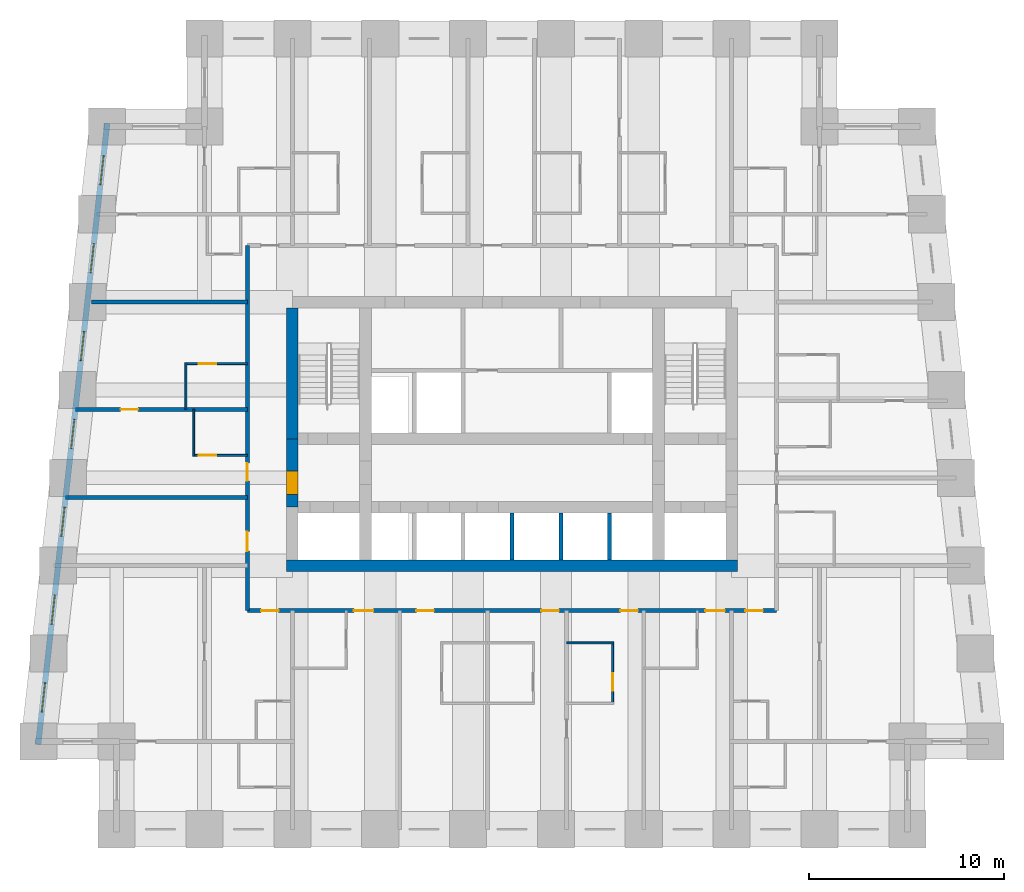
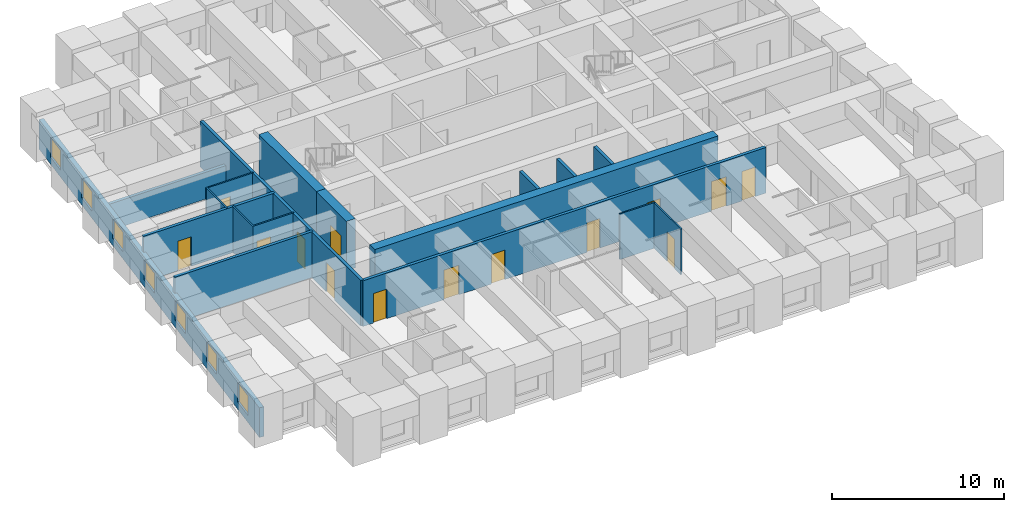
# One storey, part 3 of 8: 18 walls, 14 doors, 7 windows, 21 openings.
"""IFC4 building model written with IfcOpenShell, lengths in metres."""

from ifc_helpers import new_model, si_unit, direction, frame, frame_2d, origin, place, context, subcontext, project, spatial, rectangle, extrude, material, layer, layer_set, type_object, element, fill, save


model = new_model("IFC4")

# Units and contexts
model_context = context("Model", 3, precision=1e-05, world=origin(), true_north=direction((0.0, 1.0)))
body_context = subcontext(model_context, "Body", "Model", "MODEL_VIEW")
ifc_project = project(units=[si_unit("LENGTHUNIT", "METRE"), si_unit("AREAUNIT", "SQUARE_METRE"), si_unit("VOLUMEUNIT", "CUBIC_METRE"), si_unit("PLANEANGLEUNIT", "RADIAN"), si_unit("MASSUNIT", "GRAM", prefix="KILO")], contexts=[model_context])

# Site, building, storey
site_placement = place(None, origin())
site = spatial("IfcSite", under=ifc_project, at=site_placement, CompositionType="ELEMENT")
building_placement = place(site_placement, origin())
building = spatial("IfcBuilding", under=site, at=building_placement, Name="Kilele Tower Hotel", CompositionType="ELEMENT")
storey_placement = place(building_placement, frame((0.0, 0.0, 82.199951171875)))
storey = spatial("IfcBuildingStorey", under=building, at=storey_placement, Name="L20", CompositionType="ELEMENT", Elevation=82.199951171875)

# Wall
ifc_material_1 = material(Name="Moisture-resistant board")
ifc_layer_1 = layer(ifc_material_1, 0.10009765625)
ifc_layer_set_1 = layer_set([ifc_layer_1], Name="Moisture-resistant board")
wall_type_1 = type_object("IfcWallType", Name="Bathroom partition 100", PredefinedType="PLUMBINGWALL", material=ifc_layer_set_1)
wall_1_placement = place(storey_placement, frame((27.550048828125, 9.550048828125, 0.0), z_axis=(0.0, 0.0, 1.0), x_axis=(1.0, 0.0, 0.0)))
element("IfcWall", 1, at=wall_1_placement, inside=storey, type_object=wall_type_1, Name="Bathroom partition 100 L20", PredefinedType="PLUMBINGWALL", context=body_context, shape_type="SweptSolid", body=[
    extrude(rectangle(XDim=2.39990234375, YDim=0.10009765625, at=frame_2d((1.199951171875, 0.0))), origin(), (0.0, 0.0, 1.0), 3.25),
])

# Wall, opening, door
wall_2_placement = place(storey_placement, frame((29.89990234375, 9.60009765625, 0.0), z_axis=(0.0, 0.0, 1.0), x_axis=(0.0, -1.0, 0.0)))
wall_2 = element("IfcWall", 2, at=wall_2_placement, inside=storey, type_object=wall_type_1, Name="Bathroom partition 100 L20", PredefinedType="PLUMBINGWALL", context=body_context, shape_type="SweptSolid", body=[
    extrude(rectangle(XDim=3.2001953125, YDim=0.10009765625, at=frame_2d((1.60009765625, 0.0))), origin(), (0.0, 0.0, 1.0), 3.25),
])
opening_1_placement = place(wall_2_placement, frame((1.60009765625, 0.0, 0.0)))
opening_1 = element("IfcOpeningElement", 3, at=opening_1_placement, cuts=wall_2, Name="Opening D2A", PredefinedType="OPENING", context=body_context, shape_type="SweptSolid", body=[
    extrude(rectangle(XDim=0.89990234375, YDim=2.10009765625, at=frame_2d((0.449951171875, 1.050048828125))), frame((0.0, 0.06005859375, 0.0), z_axis=(0.0, -1.0, 0.0), x_axis=(1.0, 0.0, 0.0)), (0.0, 0.0, 1.0), 0.1201171875),
])
ifc_material_2 = material(Name="Timber door leaf in hardwood frame", Category="wood")
door_type_1 = type_object("IfcDoorType", Name="Bathroom door 900", OperationType="SINGLE_SWING_LEFT", PredefinedType="DOOR", material=ifc_material_2)
door_1_placement = place(opening_1_placement, origin())
door_1 = element("IfcDoor", 4, at=door_1_placement, inside=storey, type_object=door_type_1, Name="Bathroom door 2004B", OperationType="SINGLE_SWING_RIGHT", OverallHeight=2.10009765625, OverallWidth=0.89990234375, PredefinedType="DOOR", context=body_context, shape_type="SweptSolid", body=[
    extrude(rectangle(XDim=0.89990234375, YDim=2.10009765625, at=frame_2d((0.449951171875, 1.050048828125))), frame((0.0, 0.02490234375, 0.0), z_axis=(0.0, -1.0, 0.0), x_axis=(1.0, 0.0, 0.0)), (0.0, 0.0, 1.0), 0.050048828125),
])
fill(opening_1, door_1)

# Wall
wall_3_placement = place(storey_placement, frame((8.449951171875, 19.10009765625, 0.0), z_axis=(0.0, 0.0, 1.0), x_axis=(0.0, 1.0, 0.0)))
element("IfcWall", 5, at=wall_3_placement, inside=storey, type_object=wall_type_1, Name="Bathroom partition 100 L20", PredefinedType="PLUMBINGWALL", context=body_context, shape_type="SweptSolid", body=[
    extrude(rectangle(XDim=2.39990234375, YDim=0.10009765625, at=frame_2d((1.199951171875, 0.0))), origin(), (0.0, 0.0, 1.0), 3.25),
])

# Wall, opening, door
wall_4_placement = place(storey_placement, frame((11.199951171875, 19.14990234375, 0.0), z_axis=(0.0, 0.0, 1.0), x_axis=(-1.0, 0.0, 0.0)))
wall_4 = element("IfcWall", 6, at=wall_4_placement, inside=storey, type_object=wall_type_1, Name="Bathroom partition 100 L20", PredefinedType="PLUMBINGWALL", context=body_context, shape_type="SweptSolid", body=[
    extrude(rectangle(XDim=2.800048828125, YDim=0.10009765625, at=frame_2d((1.39990234375, 0.0))), origin(), (0.0, 0.0, 1.0), 3.25),
])
opening_2_placement = place(wall_4_placement, frame((1.60009765625, 0.0, 0.0)))
opening_2 = element("IfcOpeningElement", 7, at=opening_2_placement, cuts=wall_4, Name="Opening D2A", PredefinedType="OPENING", context=body_context, shape_type="SweptSolid", body=[
    extrude(rectangle(XDim=0.89990234375, YDim=2.10009765625, at=frame_2d((0.449951171875, 1.050048828125))), frame((0.0, 0.06005859375, 0.0), z_axis=(0.0, -1.0, 0.0), x_axis=(1.0, 0.0, 0.0)), (0.0, 0.0, 1.0), 0.1201171875),
])
door_2_placement = place(opening_2_placement, origin())
door_2 = element("IfcDoor", 8, at=door_2_placement, inside=storey, type_object=door_type_1, Name="Bathroom door 2015B", OperationType="SINGLE_SWING_RIGHT", OverallHeight=2.10009765625, OverallWidth=0.89990234375, PredefinedType="DOOR", context=body_context, shape_type="SweptSolid", body=[
    extrude(rectangle(XDim=0.89990234375, YDim=2.10009765625, at=frame_2d((0.449951171875, 1.050048828125))), frame((0.0, 0.02490234375, 0.0), z_axis=(0.0, -1.0, 0.0), x_axis=(1.0, 0.0, 0.0)), (0.0, 0.0, 1.0), 0.050048828125),
])
fill(opening_2, door_2)

# Wall
wall_5_placement = place(storey_placement, frame((8.050048828125, 21.5, 0.0), z_axis=(0.0, 0.0, 1.0), x_axis=(0.0, 1.0, 0.0)))
element("IfcWall", 9, at=wall_5_placement, inside=storey, type_object=wall_type_1, Name="Bathroom partition 100 L20", PredefinedType="PLUMBINGWALL", context=body_context, shape_type="SweptSolid", body=[
    extrude(rectangle(XDim=2.39990234375, YDim=0.10009765625, at=frame_2d((1.199951171875, 0.0))), origin(), (0.0, 0.0, 1.0), 3.25),
])

# Wall, opening, door
wall_6_placement = place(storey_placement, frame((11.199951171875, 23.85009765625, 0.0), z_axis=(0.0, 0.0, 1.0), x_axis=(-1.0, 0.0, 0.0)))
wall_6 = element("IfcWall", 10, at=wall_6_placement, inside=storey, type_object=wall_type_1, Name="Bathroom partition 100 L20", PredefinedType="PLUMBINGWALL", context=body_context, shape_type="SweptSolid", body=[
    extrude(rectangle(XDim=3.199951171875, YDim=0.10009765625, at=frame_2d((1.60009765625, 0.0))), origin(), (0.0, 0.0, 1.0), 3.25),
])
opening_3_placement = place(wall_6_placement, frame((2.5, 0.0, 0.0), z_axis=(0.0, 0.0, 1.0), x_axis=(-1.0, 0.0, 0.0)))
opening_3 = element("IfcOpeningElement", 11, at=opening_3_placement, cuts=wall_6, Name="Opening D2A", PredefinedType="OPENING", context=body_context, shape_type="SweptSolid", body=[
    extrude(rectangle(XDim=0.89990234375, YDim=2.10009765625, at=frame_2d((0.449951171875, 1.050048828125))), frame((0.0, 0.06005859375, 0.0), z_axis=(0.0, -1.0, 0.0), x_axis=(1.0, 0.0, 0.0)), (0.0, 0.0, 1.0), 0.1201171875),
])
door_3_placement = place(opening_3_placement, origin())
door_3 = element("IfcDoor", 12, at=door_3_placement, inside=storey, type_object=door_type_1, Name="Bathroom door 2016B", OperationType="SINGLE_SWING_LEFT", OverallHeight=2.10009765625, OverallWidth=0.89990234375, PredefinedType="DOOR", context=body_context, shape_type="SweptSolid", body=[
    extrude(rectangle(XDim=0.89990234375, YDim=2.10009765625, at=frame_2d((0.449951171875, 1.050048828125))), frame((0.0, 0.02490234375, 0.0), z_axis=(0.0, -1.0, 0.0), x_axis=(1.0, 0.0, 0.0)), (0.0, 0.0, 1.0), 0.050048828125),
])
fill(opening_3, door_3)

# Walls
ifc_material_3 = material(Name="Concrete C60/75", Category="concrete")
ifc_layer_2 = layer(ifc_material_3, 0.60009765625)
ifc_layer_set_2 = layer_set([ifc_layer_2], Name="Concrete C60/75")
wall_type_2 = type_object("IfcWallType", Name="Core wall 600 C60/75", PredefinedType="SHEAR", material=ifc_layer_set_2)
wall_7_placement = place(storey_placement, frame((13.199951171875, 13.5, 0.0), z_axis=(0.0, 0.0, 1.0), x_axis=(1.0, 0.0, 0.0)))
element("IfcWall", 13, at=wall_7_placement, inside=storey, type_object=wall_type_2, Name="Core wall S L20", PredefinedType="SHEAR", context=body_context, shape_type="SweptSolid", body=[
    extrude(rectangle(XDim=23.10009765625, YDim=0.60009765625, at=frame_2d((11.550048828125, 0.0))), origin(), (0.0, 0.0, 1.0), 3.5),
])
wall_8_placement = place(storey_placement, frame((13.5, 26.699951171875, 0.0), z_axis=(0.0, 0.0, 1.0), x_axis=(0.0, -1.0, 0.0)))
element("IfcWall", 14, at=wall_8_placement, inside=storey, type_object=wall_type_2, Name="Core wall W1 L20", PredefinedType="SHEAR", context=body_context, shape_type="SweptSolid", body=[
    extrude(rectangle(XDim=6.699951171875, YDim=0.60009765625, at=frame_2d((3.35009765625, 0.0))), origin(), (0.0, 0.0, 1.0), 3.5),
])

# Wall, opening, door
wall_9_placement = place(storey_placement, frame((13.5, 20.0, 0.0), z_axis=(0.0, 0.0, 1.0), x_axis=(0.0, -1.0, 0.0)))
wall_9 = element("IfcWall", 15, at=wall_9_placement, inside=storey, type_object=wall_type_2, Name="Core wall W2 L20", PredefinedType="SHEAR", context=body_context, shape_type="SweptSolid", body=[
    extrude(rectangle(XDim=3.5, YDim=0.60009765625, at=frame_2d((1.75, 0.0))), origin(), (0.0, 0.0, 1.0), 3.5),
])
opening_4_placement = place(wall_9_placement, frame((1.64990234375, 0.0, 0.0)))
opening_4 = element("IfcOpeningElement", 16, at=opening_4_placement, cuts=wall_9, Name="Opening D4", PredefinedType="OPENING", context=body_context, shape_type="SweptSolid", body=[
    extrude(rectangle(XDim=1.199951171875, YDim=2.10009765625, at=frame_2d((0.60009765625, 1.050048828125))), frame((0.0, 0.31005859375, 0.0), z_axis=(0.0, -1.0, 0.0), x_axis=(1.0, 0.0, 0.0)), (0.0, 0.0, 1.0), 0.6201171875),
])
ifc_material_4 = material(Name="Timber door leaf in hardwood frame", Category="wood")
door_type_2 = type_object("IfcDoorType", Name="Firefighting lobby door 1200", OperationType="SINGLE_SWING_LEFT", PredefinedType="DOOR", material=ifc_material_4)
door_4_placement = place(opening_4_placement, origin())
door_4 = element("IfcDoor", 17, at=door_4_placement, inside=storey, type_object=door_type_2, Name="Lobby door L20", OperationType="SINGLE_SWING_RIGHT", OverallHeight=2.10009765625, OverallWidth=1.199951171875, PredefinedType="DOOR", context=body_context, shape_type="SweptSolid", body=[
    extrude(rectangle(XDim=1.199951171875, YDim=2.10009765625, at=frame_2d((0.60009765625, 1.050048828125))), frame((0.0, 0.2998046875, 0.0), z_axis=(0.0, -1.0, 0.0), x_axis=(1.0, 0.0, 0.0)), (0.0, 0.0, 1.0), 0.599609375),
])
fill(opening_4, door_4)

# Wall, openings, doors
ifc_material_5 = material(Name="Blockwork, plastered both sides", Category="masonry")
ifc_layer_3 = layer(ifc_material_5, 0.199951171875)
ifc_layer_set_3 = layer_set([ifc_layer_3], Name="Blockwork, plastered both sides")
wall_type_3 = type_object("IfcWallType", Name="Corridor wall 200", PredefinedType="PARTITIONING", material=ifc_layer_set_3)
wall_10_placement = place(storey_placement, frame((11.199951171875, 11.199951171875, 0.0), z_axis=(0.0, 0.0, 1.0), x_axis=(1.0, 0.0, 0.0)))
wall_10 = element("IfcWall", 18, at=wall_10_placement, inside=storey, type_object=wall_type_3, Name="Corridor wall 200 L20", PredefinedType="PARTITIONING", context=body_context, shape_type="SweptSolid", body=[
    extrude(rectangle(XDim=27.10009765625, YDim=0.199951171875, at=frame_2d((13.550048828125, 0.0))), origin(), (0.0, 0.0, 1.0), 3.25),
])
opening_5_placement = place(wall_10_placement, frame((6.449951171875, 0.0, 0.0), z_axis=(0.0, 0.0, 1.0), x_axis=(-1.0, 0.0, 0.0)))
opening_5 = element("IfcOpeningElement", 19, at=opening_5_placement, cuts=wall_10, Name="Opening D1A", PredefinedType="OPENING", context=body_context, shape_type="SweptSolid", body=[
    extrude(rectangle(XDim=1.0, YDim=2.10009765625, at=frame_2d((0.5, 1.050048828125))), frame((0.0, 0.10986328125, 0.0), z_axis=(0.0, -1.0, 0.0), x_axis=(1.0, 0.0, 0.0)), (0.0, 0.0, 1.0), 0.219970703125),
])
opening_6_placement = place(wall_10_placement, frame((9.5498046875, 0.0, 0.0), z_axis=(0.0, 0.0, 1.0), x_axis=(-1.0, 0.0, 0.0)))
opening_6 = element("IfcOpeningElement", 20, at=opening_6_placement, cuts=wall_10, Name="Opening D1", PredefinedType="OPENING", context=body_context, shape_type="SweptSolid", body=[
    extrude(rectangle(XDim=0.89990234375, YDim=2.10009765625, at=frame_2d((0.449951171875, 1.050048828125))), frame((0.0, 0.10986328125, 0.0), z_axis=(0.0, -1.0, 0.0), x_axis=(1.0, 0.0, 0.0)), (0.0, 0.0, 1.0), 0.219970703125),
])
opening_7_placement = place(wall_10_placement, frame((15.949951171875, 0.0, 0.0), z_axis=(0.0, 0.0, 1.0), x_axis=(-1.0, 0.0, 0.0)))
opening_7 = element("IfcOpeningElement", 21, at=opening_7_placement, cuts=wall_10, Name="Opening D1", PredefinedType="OPENING", context=body_context, shape_type="SweptSolid", body=[
    extrude(rectangle(XDim=0.89990234375, YDim=2.10009765625, at=frame_2d((0.449951171875, 1.050048828125))), frame((0.0, 0.10986328125, 0.0), z_axis=(0.0, -1.0, 0.0), x_axis=(1.0, 0.0, 0.0)), (0.0, 0.0, 1.0), 0.219970703125),
])
opening_8_placement = place(wall_10_placement, frame((20.0, 0.0, 0.0), z_axis=(0.0, 0.0, 1.0), x_axis=(-1.0, 0.0, 0.0)))
opening_8 = element("IfcOpeningElement", 22, at=opening_8_placement, cuts=wall_10, Name="Opening D1", PredefinedType="OPENING", context=body_context, shape_type="SweptSolid", body=[
    extrude(rectangle(XDim=0.89990234375, YDim=2.10009765625, at=frame_2d((0.449951171875, 1.050048828125))), frame((0.0, 0.10986328125, 0.0), z_axis=(0.0, -1.0, 0.0), x_axis=(1.0, 0.0, 0.0)), (0.0, 0.0, 1.0), 0.219970703125),
])
opening_9_placement = place(wall_10_placement, frame((24.449951171875, 0.0, 0.0), z_axis=(0.0, 0.0, 1.0), x_axis=(-1.0, 0.0, 0.0)))
opening_9 = element("IfcOpeningElement", 23, at=opening_9_placement, cuts=wall_10, Name="Opening D1A", PredefinedType="OPENING", context=body_context, shape_type="SweptSolid", body=[
    extrude(rectangle(XDim=1.0, YDim=2.10009765625, at=frame_2d((0.5, 1.050048828125))), frame((0.0, 0.10986328125, 0.0), z_axis=(0.0, -1.0, 0.0), x_axis=(1.0, 0.0, 0.0)), (0.0, 0.0, 1.0), 0.219970703125),
])
opening_10_placement = place(wall_10_placement, frame((1.599853515625, 0.0, 0.0), z_axis=(0.0, 0.0, 1.0), x_axis=(-1.0, 0.0, 0.0)))
opening_10 = element("IfcOpeningElement", 24, at=opening_10_placement, cuts=wall_10, Name="Opening D1", PredefinedType="OPENING", context=body_context, shape_type="SweptSolid", body=[
    extrude(rectangle(XDim=0.89990234375, YDim=2.10009765625, at=frame_2d((0.449951171875, 1.050048828125))), frame((0.0, 0.10986328125, 0.0), z_axis=(0.0, -1.0, 0.0), x_axis=(1.0, 0.0, 0.0)), (0.0, 0.0, 1.0), 0.219970703125),
])
opening_11_placement = place(wall_10_placement, frame((26.39990234375, 0.0, 0.0), z_axis=(0.0, 0.0, 1.0), x_axis=(-1.0, 0.0, 0.0)))
opening_11 = element("IfcOpeningElement", 25, at=opening_11_placement, cuts=wall_10, Name="Opening D1", PredefinedType="OPENING", context=body_context, shape_type="SweptSolid", body=[
    extrude(rectangle(XDim=0.89990234375, YDim=2.10009765625, at=frame_2d((0.449951171875, 1.050048828125))), frame((0.0, 0.10986328125, 0.0), z_axis=(0.0, -1.0, 0.0), x_axis=(1.0, 0.0, 0.0)), (0.0, 0.0, 1.0), 0.219970703125),
])
ifc_material_6 = material(Name="Timber door leaf in hardwood frame", Category="wood")
door_type_3 = type_object("IfcDoorType", Name="Guest room entrance door 1000", OperationType="SINGLE_SWING_LEFT", PredefinedType="DOOR", material=ifc_material_6)
door_5_placement = place(opening_5_placement, origin())
door_5 = element("IfcDoor", 26, at=door_5_placement, inside=storey, type_object=door_type_3, Name="Room entrance 2001", OperationType="SINGLE_SWING_RIGHT", OverallHeight=2.10009765625, OverallWidth=1.0, PredefinedType="DOOR", context=body_context, shape_type="SweptSolid", body=[
    extrude(rectangle(XDim=1.0, YDim=2.10009765625, at=frame_2d((0.5, 1.050048828125))), frame((0.0, 0.02490234375, 0.0), z_axis=(0.0, -1.0, 0.0), x_axis=(1.0, 0.0, 0.0)), (0.0, 0.0, 1.0), 0.050048828125),
])
fill(opening_5, door_5)
door_6_placement = place(opening_9_placement, origin())
door_6 = element("IfcDoor", 27, at=door_6_placement, inside=storey, type_object=door_type_3, Name="Room entrance 2005", OperationType="SINGLE_SWING_LEFT", OverallHeight=2.10009765625, OverallWidth=1.0, PredefinedType="DOOR", context=body_context, shape_type="SweptSolid", body=[
    extrude(rectangle(XDim=1.0, YDim=2.10009765625, at=frame_2d((0.5, 1.050048828125))), frame((0.0, 0.02490234375, 0.0), z_axis=(0.0, -1.0, 0.0), x_axis=(1.0, 0.0, 0.0)), (0.0, 0.0, 1.0), 0.050048828125),
])
fill(opening_9, door_6)
ifc_material_7 = material(Name="Timber door leaf in hardwood frame", Category="wood")
door_type_4 = type_object("IfcDoorType", Name="Guest room entrance door 900", OperationType="SINGLE_SWING_LEFT", PredefinedType="DOOR", material=ifc_material_7)
door_7_placement = place(opening_6_placement, origin())
door_7 = element("IfcDoor", 28, at=door_7_placement, inside=storey, type_object=door_type_4, Name="Room entrance 2002", OperationType="SINGLE_SWING_RIGHT", OverallHeight=2.10009765625, OverallWidth=0.89990234375, PredefinedType="DOOR", context=body_context, shape_type="SweptSolid", body=[
    extrude(rectangle(XDim=0.89990234375, YDim=2.10009765625, at=frame_2d((0.449951171875, 1.050048828125))), frame((0.0, 0.02490234375, 0.0), z_axis=(0.0, -1.0, 0.0), x_axis=(1.0, 0.0, 0.0)), (0.0, 0.0, 1.0), 0.050048828125),
])
fill(opening_6, door_7)
door_8_placement = place(opening_7_placement, origin())
door_8 = element("IfcDoor", 29, at=door_8_placement, inside=storey, type_object=door_type_4, Name="Room entrance 2003", OperationType="SINGLE_SWING_LEFT", OverallHeight=2.10009765625, OverallWidth=0.89990234375, PredefinedType="DOOR", context=body_context, shape_type="SweptSolid", body=[
    extrude(rectangle(XDim=0.89990234375, YDim=2.10009765625, at=frame_2d((0.449951171875, 1.050048828125))), frame((0.0, 0.02490234375, 0.0), z_axis=(0.0, -1.0, 0.0), x_axis=(1.0, 0.0, 0.0)), (0.0, 0.0, 1.0), 0.050048828125),
])
fill(opening_7, door_8)
door_9_placement = place(opening_8_placement, origin())
door_9 = element("IfcDoor", 30, at=door_9_placement, inside=storey, type_object=door_type_4, Name="Room entrance 2004", OperationType="SINGLE_SWING_LEFT", OverallHeight=2.10009765625, OverallWidth=0.89990234375, PredefinedType="DOOR", context=body_context, shape_type="SweptSolid", body=[
    extrude(rectangle(XDim=0.89990234375, YDim=2.10009765625, at=frame_2d((0.449951171875, 1.050048828125))), frame((0.0, 0.02490234375, 0.0), z_axis=(0.0, -1.0, 0.0), x_axis=(1.0, 0.0, 0.0)), (0.0, 0.0, 1.0), 0.050048828125),
])
fill(opening_8, door_9)
door_10_placement = place(opening_10_placement, origin())
door_10 = element("IfcDoor", 31, at=door_10_placement, inside=storey, type_object=door_type_4, Name="Room entrance 2017", OperationType="SINGLE_SWING_LEFT", OverallHeight=2.10009765625, OverallWidth=0.89990234375, PredefinedType="DOOR", context=body_context, shape_type="SweptSolid", body=[
    extrude(rectangle(XDim=0.89990234375, YDim=2.10009765625, at=frame_2d((0.449951171875, 1.050048828125))), frame((0.0, 0.02490234375, 0.0), z_axis=(0.0, -1.0, 0.0), x_axis=(1.0, 0.0, 0.0)), (0.0, 0.0, 1.0), 0.050048828125),
])
fill(opening_10, door_10)
door_11_placement = place(opening_11_placement, origin())
door_11 = element("IfcDoor", 32, at=door_11_placement, inside=storey, type_object=door_type_4, Name="Room entrance 2020", OperationType="SINGLE_SWING_RIGHT", OverallHeight=2.10009765625, OverallWidth=0.89990234375, PredefinedType="DOOR", context=body_context, shape_type="SweptSolid", body=[
    extrude(rectangle(XDim=0.89990234375, YDim=2.10009765625, at=frame_2d((0.449951171875, 1.050048828125))), frame((0.0, 0.02490234375, 0.0), z_axis=(0.0, -1.0, 0.0), x_axis=(1.0, 0.0, 0.0)), (0.0, 0.0, 1.0), 0.050048828125),
])
fill(opening_11, door_11)

wall_11_placement = place(storey_placement, frame((11.199951171875, 11.199951171875, 0.0), z_axis=(0.0, 0.0, 1.0), x_axis=(0.0, 1.0, 0.0)))
wall_11 = element("IfcWall", 33, at=wall_11_placement, inside=storey, type_object=wall_type_3, Name="Corridor wall 200 L20", PredefinedType="PARTITIONING", context=body_context, shape_type="SweptSolid", body=[
    extrude(rectangle(XDim=18.699951171875, YDim=0.199951171875, at=frame_2d((9.35009765625, 0.0))), origin(), (0.0, 0.0, 1.0), 3.25),
])
opening_12_placement = place(wall_11_placement, frame((3.050048828125, 0.0, 0.0)))
opening_12 = element("IfcOpeningElement", 34, at=opening_12_placement, cuts=wall_11, Name="Opening D8", PredefinedType="OPENING", context=body_context, shape_type="SweptSolid", body=[
    extrude(rectangle(XDim=1.0, YDim=2.10009765625, at=frame_2d((0.5, 1.050048828125))), frame((0.0, 0.10986328125, 0.0), z_axis=(0.0, -1.0, 0.0), x_axis=(1.0, 0.0, 0.0)), (0.0, 0.0, 1.0), 0.219970703125),
])
opening_13_placement = place(wall_11_placement, frame((6.64990234375, 0.0, 0.0)))
opening_13 = element("IfcOpeningElement", 35, at=opening_13_placement, cuts=wall_11, Name="Opening D1", PredefinedType="OPENING", context=body_context, shape_type="SweptSolid", body=[
    extrude(rectangle(XDim=0.89990234375, YDim=2.10009765625, at=frame_2d((0.449951171875, 1.050048828125))), frame((0.0, 0.10986328125, 0.0), z_axis=(0.0, -1.0, 0.0), x_axis=(1.0, 0.0, 0.0)), (0.0, 0.0, 1.0), 0.219970703125),
])
ifc_material_8 = material(Name="Timber door leaf in hardwood frame", Category="wood")
door_type_5 = type_object("IfcDoorType", Name="Door 1000", OperationType="SINGLE_SWING_LEFT", PredefinedType="DOOR", material=ifc_material_8)
door_12_placement = place(opening_12_placement, origin())
door_12 = element("IfcDoor", 36, at=door_12_placement, inside=storey, type_object=door_type_5, Name="Room entrance 2014", OperationType="SINGLE_SWING_LEFT", OverallHeight=2.10009765625, OverallWidth=1.0, PredefinedType="DOOR", context=body_context, shape_type="SweptSolid", body=[
    extrude(rectangle(XDim=1.0, YDim=2.10009765625, at=frame_2d((0.5, 1.050048828125))), frame((0.0, 0.02490234375, 0.0), z_axis=(0.0, -1.0, 0.0), x_axis=(1.0, 0.0, 0.0)), (0.0, 0.0, 1.0), 0.050048828125),
])
fill(opening_12, door_12)
door_13_placement = place(opening_13_placement, origin())
door_13 = element("IfcDoor", 37, at=door_13_placement, inside=storey, type_object=door_type_4, Name="Room entrance 2015", OperationType="SINGLE_SWING_RIGHT", OverallHeight=2.10009765625, OverallWidth=0.89990234375, PredefinedType="DOOR", context=body_context, shape_type="SweptSolid", body=[
    extrude(rectangle(XDim=0.89990234375, YDim=2.10009765625, at=frame_2d((0.449951171875, 1.050048828125))), frame((0.0, 0.02490234375, 0.0), z_axis=(0.0, -1.0, 0.0), x_axis=(1.0, 0.0, 0.0)), (0.0, 0.0, 1.0), 0.050048828125),
])
fill(opening_13, door_13)

# Wall
ifc_material_9 = material(Name="Blockwork, plastered both sides", Category="masonry")
ifc_layer_4 = layer(ifc_material_9, 0.199951171875)
ifc_layer_set_4 = layer_set([ifc_layer_4], Name="Blockwork, plastered both sides")
wall_type_4 = type_object("IfcWallType", Name="Party wall 200", PredefinedType="PARTITIONING", material=ifc_layer_set_4)
wall_12_placement = place(storey_placement, frame((11.199951171875, 17.0, 0.0), z_axis=(0.0, 0.0, 1.0), x_axis=(-1.0, 0.0, 0.0)))
element("IfcWall", 38, at=wall_12_placement, inside=storey, type_object=wall_type_4, Name="Party wall 200 L20", PredefinedType="PARTITIONING", context=body_context, shape_type="SweptSolid", body=[
    extrude(rectangle(XDim=9.31005859375, YDim=0.199951171875, at=frame_2d((4.655029296875, 0.0))), origin(), (0.0, 0.0, 1.0), 3.25),
])

# Wall, opening, door
wall_13_placement = place(storey_placement, frame((11.199951171875, 21.5, 0.0), z_axis=(0.0, 0.0, 1.0), x_axis=(-1.0, 0.0, 0.0)))
wall_13 = element("IfcWall", 39, at=wall_13_placement, inside=storey, type_object=wall_type_4, Name="Party wall 200 L20", PredefinedType="PARTITIONING", context=body_context, shape_type="SweptSolid", body=[
    extrude(rectangle(XDim=8.81005859375, YDim=0.199951171875, at=frame_2d((4.405029296875, 0.0))), origin(), (0.0, 0.0, 1.0), 3.25),
])
opening_14_placement = place(wall_13_placement, frame((5.60009765625, 0.0, 0.0)))
opening_14 = element("IfcOpeningElement", 40, at=opening_14_placement, cuts=wall_13, Name="Opening D3", PredefinedType="OPENING", context=body_context, shape_type="SweptSolid", body=[
    extrude(rectangle(XDim=0.89990234375, YDim=2.10009765625, at=frame_2d((0.449951171875, 1.050048828125))), frame((0.0, 0.10986328125, 0.0), z_axis=(0.0, -1.0, 0.0), x_axis=(1.0, 0.0, 0.0)), (0.0, 0.0, 1.0), 0.219970703125),
])
ifc_material_10 = material(Name="Timber door leaf in hardwood frame", Category="wood")
door_type_6 = type_object("IfcDoorType", Name="Suite internal door 900", OperationType="SINGLE_SWING_LEFT", PredefinedType="DOOR", material=ifc_material_10)
door_14_placement = place(opening_14_placement, origin())
door_14 = element("IfcDoor", 41, at=door_14_placement, inside=storey, type_object=door_type_6, Name="Suite door 2016", OperationType="SINGLE_SWING_RIGHT", OverallHeight=2.10009765625, OverallWidth=0.89990234375, PredefinedType="DOOR", context=body_context, shape_type="SweptSolid", body=[
    extrude(rectangle(XDim=0.89990234375, YDim=2.10009765625, at=frame_2d((0.449951171875, 1.050048828125))), frame((0.0, 0.02490234375, 0.0), z_axis=(0.0, -1.0, 0.0), x_axis=(1.0, 0.0, 0.0)), (0.0, 0.0, 1.0), 0.050048828125),
])
fill(opening_14, door_14)

# Wall
wall_14_placement = place(storey_placement, frame((11.199951171875, 27.0, 0.0), z_axis=(0.0, 0.0, 1.0), x_axis=(-1.0, 0.0, 0.0)))
element("IfcWall", 42, at=wall_14_placement, inside=storey, type_object=wall_type_4, Name="Party wall 200 L20", PredefinedType="PARTITIONING", context=body_context, shape_type="SweptSolid", body=[
    extrude(rectangle(XDim=7.976806640625, YDim=0.199951171875, at=frame_2d((3.98828125, 0.0))), origin(), (0.0, 0.0, 1.0), 1.900146484375),
])

# Wall, openings, windows
ifc_material_11 = material(Name="Concrete C40/50 precast", Category="concrete")
ifc_layer_5 = layer(ifc_material_11, 0.260009765625, Name="Precast backing", Category="LoadBearing")
ifc_material_12 = material(Name="Reconstituted stone finish", Category="masonry")
ifc_layer_6 = layer(ifc_material_12, 0.0400390625, Name="Face mix", Category="Finish")
ifc_layer_set_5 = layer_set([ifc_layer_5, ifc_layer_6], Name="Precast concrete C40/50, reconstituted stone finish")
wall_type_5 = type_object("IfcWallType", Name="Precast stone facade wall 300", PredefinedType="STANDARD", material=ifc_layer_set_5)
wall_15_placement = place(storey_placement, frame((4.0166015625, 36.149169921875, 0.0), z_axis=(0.0, 0.0, 1.0), x_axis=(-0.110433201132, -0.993883548555, 0.0)))
wall_15 = element("IfcWall", 43, at=wall_15_placement, inside=storey, type_object=wall_type_5, Name="Facade wall L20 edge 12", PredefinedType="STANDARD", context=body_context, shape_type="SweptSolid", body=[
    extrude(rectangle(XDim=31.994140625, YDim=0.300048828125, at=frame_2d((15.9970703125, 0.0))), origin(), (0.0, 0.0, 1.0), 2.10009765625),
])
opening_15_placement = place(wall_15_placement, frame((1.6640625, 0.0, 0.5)))
opening_15 = element("IfcOpeningElement", 44, at=opening_15_placement, cuts=wall_15, Name="Opening W1", PredefinedType="OPENING", context=body_context, shape_type="SweptSolid", body=[
    extrude(rectangle(XDim=1.5, YDim=1.39990234375, at=frame_2d((0.75, 0.699951171875))), frame((0.0, 0.159912109375, 0.0), z_axis=(0.0, -1.0, 0.0), x_axis=(1.0, 0.0, 0.0)), (0.0, 0.0, 1.0), 0.320068359375),
])
opening_16_placement = place(wall_15_placement, frame((6.19189453125, 0.0, 0.5)))
opening_16 = element("IfcOpeningElement", 45, at=opening_16_placement, cuts=wall_15, Name="Opening W1", PredefinedType="OPENING", context=body_context, shape_type="SweptSolid", body=[
    extrude(rectangle(XDim=1.5, YDim=1.39990234375, at=frame_2d((0.75, 0.699951171875))), frame((0.0, 0.159912109375, 0.0), z_axis=(0.0, -1.0, 0.0), x_axis=(1.0, 0.0, 0.0)), (0.0, 0.0, 1.0), 0.320068359375),
])
opening_17_placement = place(wall_15_placement, frame((10.718994140625, 0.0, 0.5)))
opening_17 = element("IfcOpeningElement", 46, at=opening_17_placement, cuts=wall_15, Name="Opening W1", PredefinedType="OPENING", context=body_context, shape_type="SweptSolid", body=[
    extrude(rectangle(XDim=1.5, YDim=1.39990234375, at=frame_2d((0.75, 0.699951171875))), frame((0.0, 0.159912109375, 0.0), z_axis=(0.0, -1.0, 0.0), x_axis=(1.0, 0.0, 0.0)), (0.0, 0.0, 1.0), 0.320068359375),
])
opening_18_placement = place(wall_15_placement, frame((15.2470703125, 0.0, 0.5)))
opening_18 = element("IfcOpeningElement", 47, at=opening_18_placement, cuts=wall_15, Name="Opening W1", PredefinedType="OPENING", context=body_context, shape_type="SweptSolid", body=[
    extrude(rectangle(XDim=1.5, YDim=1.39990234375, at=frame_2d((0.75, 0.699951171875))), frame((0.0, 0.159912109375, 0.0), z_axis=(0.0, -1.0, 0.0), x_axis=(1.0, 0.0, 0.0)), (0.0, 0.0, 1.0), 0.320068359375),
])
opening_19_placement = place(wall_15_placement, frame((19.77490234375, 0.0, 0.5)))
opening_19 = element("IfcOpeningElement", 48, at=opening_19_placement, cuts=wall_15, Name="Opening W1", PredefinedType="OPENING", context=body_context, shape_type="SweptSolid", body=[
    extrude(rectangle(XDim=1.5, YDim=1.39990234375, at=frame_2d((0.75, 0.699951171875))), frame((0.0, 0.159912109375, 0.0), z_axis=(0.0, -1.0, 0.0), x_axis=(1.0, 0.0, 0.0)), (0.0, 0.0, 1.0), 0.320068359375),
])
opening_20_placement = place(wall_15_placement, frame((24.302001953125, 0.0, 0.5)))
opening_20 = element("IfcOpeningElement", 49, at=opening_20_placement, cuts=wall_15, Name="Opening W1", PredefinedType="OPENING", context=body_context, shape_type="SweptSolid", body=[
    extrude(rectangle(XDim=1.5, YDim=1.39990234375, at=frame_2d((0.75, 0.699951171875))), frame((0.0, 0.159912109375, 0.0), z_axis=(0.0, -1.0, 0.0), x_axis=(1.0, 0.0, 0.0)), (0.0, 0.0, 1.0), 0.320068359375),
])
opening_21_placement = place(wall_15_placement, frame((28.830078125, 0.0, 0.5)))
opening_21 = element("IfcOpeningElement", 50, at=opening_21_placement, cuts=wall_15, Name="Opening W1", PredefinedType="OPENING", context=body_context, shape_type="SweptSolid", body=[
    extrude(rectangle(XDim=1.5, YDim=1.39990234375, at=frame_2d((0.75, 0.699951171875))), frame((0.0, 0.159912109375, 0.0), z_axis=(0.0, -1.0, 0.0), x_axis=(1.0, 0.0, 0.0)), (0.0, 0.0, 1.0), 0.320068359375),
])
ifc_material_13 = material(Name="Aluminium frame, clear double glazing", Category="aluminium")
window_type = type_object("IfcWindowType", Name="Window W1 1500 x 1400", PartitioningType="SINGLE_PANEL", PredefinedType="WINDOW", material=ifc_material_13)
window_1_placement = place(opening_15_placement, origin())
window_1 = element("IfcWindow", 51, at=window_1_placement, inside=storey, type_object=window_type, Name="Window L20", OverallHeight=1.39990234375, OverallWidth=1.5, PartitioningType="SINGLE_PANEL", PredefinedType="WINDOW", context=body_context, shape_type="SweptSolid", body=[
    extrude(rectangle(XDim=1.5, YDim=1.39990234375, at=frame_2d((0.75, 0.699951171875))), frame((0.0, 0.030029296875, 0.0), z_axis=(0.0, -1.0, 0.0), x_axis=(1.0, 0.0, 0.0)), (0.0, 0.0, 1.0), 0.06005859375),
])
fill(opening_15, window_1)
window_2_placement = place(opening_16_placement, origin())
window_2 = element("IfcWindow", 52, at=window_2_placement, inside=storey, type_object=window_type, Name="Window L20", OverallHeight=1.39990234375, OverallWidth=1.5, PartitioningType="SINGLE_PANEL", PredefinedType="WINDOW", context=body_context, shape_type="SweptSolid", body=[
    extrude(rectangle(XDim=1.5, YDim=1.39990234375, at=frame_2d((0.75, 0.699951171875))), frame((0.0, 0.030029296875, 0.0), z_axis=(0.0, -1.0, 0.0), x_axis=(1.0, 0.0, 0.0)), (0.0, 0.0, 1.0), 0.06005859375),
])
fill(opening_16, window_2)
window_3_placement = place(opening_17_placement, origin())
window_3 = element("IfcWindow", 53, at=window_3_placement, inside=storey, type_object=window_type, Name="Window L20", OverallHeight=1.39990234375, OverallWidth=1.5, PartitioningType="SINGLE_PANEL", PredefinedType="WINDOW", context=body_context, shape_type="SweptSolid", body=[
    extrude(rectangle(XDim=1.5, YDim=1.39990234375, at=frame_2d((0.75, 0.699951171875))), frame((0.0, 0.030029296875, 0.0), z_axis=(0.0, -1.0, 0.0), x_axis=(1.0, 0.0, 0.0)), (0.0, 0.0, 1.0), 0.06005859375),
])
fill(opening_17, window_3)
window_4_placement = place(opening_18_placement, origin())
window_4 = element("IfcWindow", 54, at=window_4_placement, inside=storey, type_object=window_type, Name="Window L20", OverallHeight=1.39990234375, OverallWidth=1.5, PartitioningType="SINGLE_PANEL", PredefinedType="WINDOW", context=body_context, shape_type="SweptSolid", body=[
    extrude(rectangle(XDim=1.5, YDim=1.39990234375, at=frame_2d((0.75, 0.699951171875))), frame((0.0, 0.030029296875, 0.0), z_axis=(0.0, -1.0, 0.0), x_axis=(1.0, 0.0, 0.0)), (0.0, 0.0, 1.0), 0.06005859375),
])
fill(opening_18, window_4)
window_5_placement = place(opening_19_placement, origin())
window_5 = element("IfcWindow", 55, at=window_5_placement, inside=storey, type_object=window_type, Name="Window L20", OverallHeight=1.39990234375, OverallWidth=1.5, PartitioningType="SINGLE_PANEL", PredefinedType="WINDOW", context=body_context, shape_type="SweptSolid", body=[
    extrude(rectangle(XDim=1.5, YDim=1.39990234375, at=frame_2d((0.75, 0.699951171875))), frame((0.0, 0.030029296875, 0.0), z_axis=(0.0, -1.0, 0.0), x_axis=(1.0, 0.0, 0.0)), (0.0, 0.0, 1.0), 0.06005859375),
])
fill(opening_19, window_5)
window_6_placement = place(opening_20_placement, origin())
window_6 = element("IfcWindow", 56, at=window_6_placement, inside=storey, type_object=window_type, Name="Window L20", OverallHeight=1.39990234375, OverallWidth=1.5, PartitioningType="SINGLE_PANEL", PredefinedType="WINDOW", context=body_context, shape_type="SweptSolid", body=[
    extrude(rectangle(XDim=1.5, YDim=1.39990234375, at=frame_2d((0.75, 0.699951171875))), frame((0.0, 0.030029296875, 0.0), z_axis=(0.0, -1.0, 0.0), x_axis=(1.0, 0.0, 0.0)), (0.0, 0.0, 1.0), 0.06005859375),
])
fill(opening_20, window_6)
window_7_placement = place(opening_21_placement, origin())
window_7 = element("IfcWindow", 57, at=window_7_placement, inside=storey, type_object=window_type, Name="Window L20", OverallHeight=1.39990234375, OverallWidth=1.5, PartitioningType="SINGLE_PANEL", PredefinedType="WINDOW", context=body_context, shape_type="SweptSolid", body=[
    extrude(rectangle(XDim=1.5, YDim=1.39990234375, at=frame_2d((0.75, 0.699951171875))), frame((0.0, 0.030029296875, 0.0), z_axis=(0.0, -1.0, 0.0), x_axis=(1.0, 0.0, 0.0)), (0.0, 0.0, 1.0), 0.06005859375),
])
fill(opening_21, window_7)

# Walls
ifc_material_14 = material(Name="Blockwork, fire-rated", Category="masonry")
ifc_layer_7 = layer(ifc_material_14, 0.199951171875)
ifc_layer_set_6 = layer_set([ifc_layer_7], Name="Blockwork, fire-rated")
wall_type_6 = type_object("IfcWallType", Name="Shaft wall 200", PredefinedType="PARTITIONING", material=ifc_layer_set_6)
for number, where, z_axis, x_axis, name in (
    (58, (24.75, 13.800048828125, 0.0), (0.0, 0.0, 1.0), (0.0, 1.0, 0.0), "Shaft wall 200 L20"),
    (59, (27.25, 13.800048828125, 0.0), (0.0, 0.0, 1.0), (0.0, 1.0, 0.0), "Shaft wall 200 L20"),
    (60, (29.75, 13.800048828125, 0.0), (0.0, 0.0, 1.0), (0.0, 1.0, 0.0), "Shaft wall 200 L20"),
):
    element("IfcWall", number, at=place(storey_placement, frame(where, z_axis=z_axis, x_axis=x_axis)), inside=storey, type_object=wall_type_6, Name=name, PredefinedType="PARTITIONING", context=body_context, shape_type="SweptSolid", body=[
        extrude(rectangle(XDim=2.39990234375, YDim=0.199951171875, at=frame_2d((1.199951171875, 0.0))), origin(), (0.0, 0.0, 1.0), 3.25),
    ])

save(model, "model.ifc")
